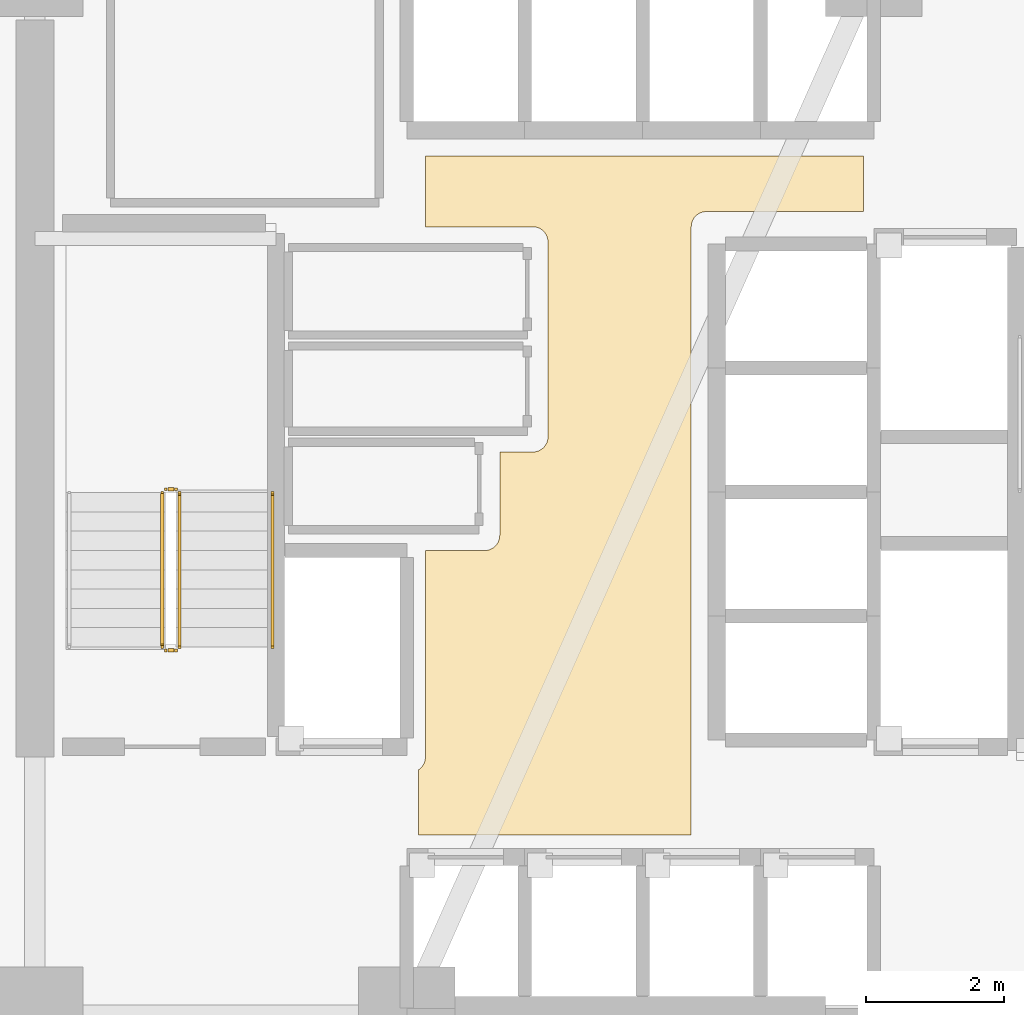
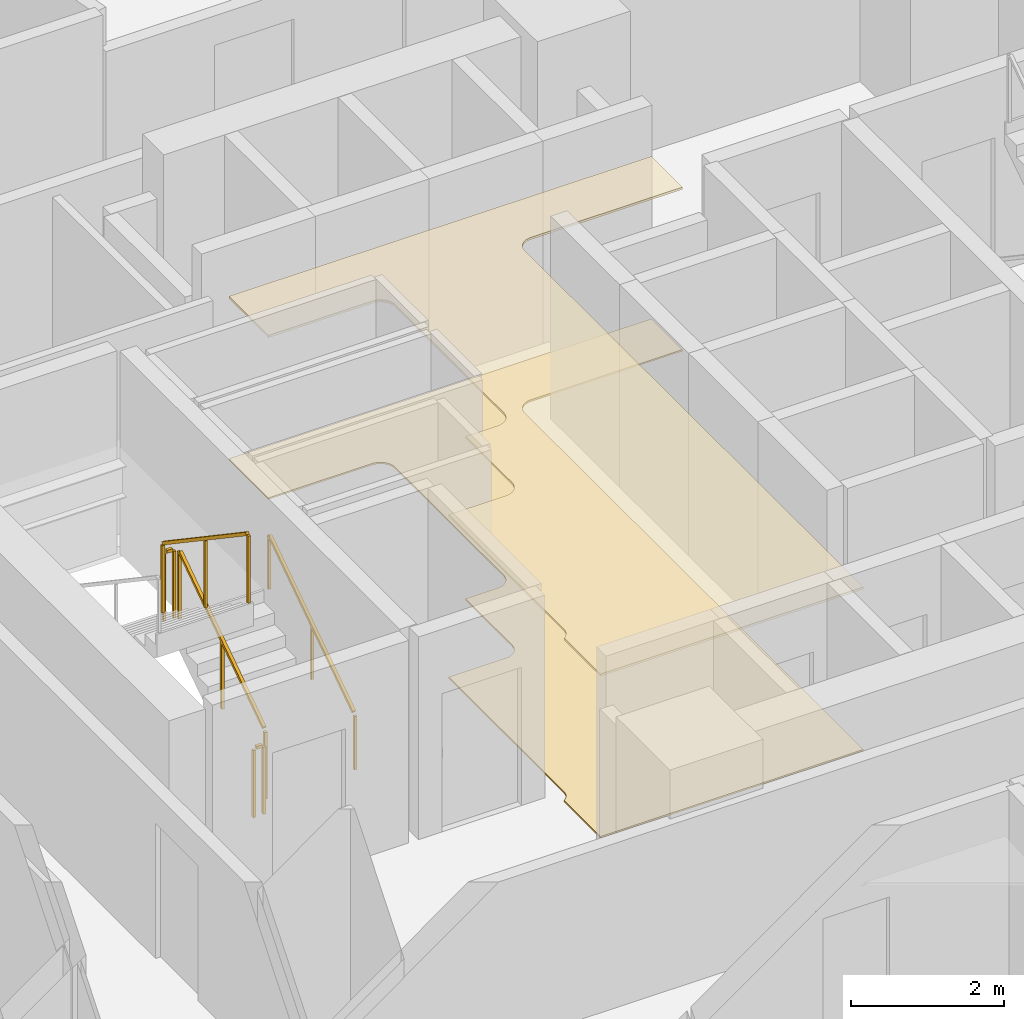
# One storey, part 12 of 15: 5 railings, 2 coverings.
"""IFC4 building model written with IfcOpenShell, lengths in metres."""

import ifcopenshell
import ifcopenshell.guid

model = None  # the IFC model being written
_history = None  # IfcOwnerHistory: only IFC2X3 demands one
_inside = {}  # id of a spatial element -> (the spatial element, [elements in it])
_under = {}  # id of a project, library or spatial element -> (it, [spatial elements below it])
_declared = {}  # id of a project -> (the project, [libraries it declares])
_typed = {}  # id of a type object -> (the type object, [elements of that type])
_made_of = {}  # id of a material, layer set ... -> (it, [elements and type objects made of it])


def new_model(schema):
    """Start an empty IFC model of exactly this schema.

    Asked for "IFC4X3", IfcOpenShell would pick the latest addendum, in which some entities
    have other attributes; the version numbers below select the first issue.
    IFC2X3 requires an IfcOwnerHistory on every rooted entity: one is made here for all.
    """
    global model, _history
    if schema == "IFC4X3":
        model = ifcopenshell.file(schema_version=(4, 3, 0, 0))
    else:
        model = ifcopenshell.file(schema=schema)
    _inside.clear()
    _under.clear()
    _declared.clear()
    _typed.clear()
    _made_of.clear()
    _history = None
    if model.schema == "IFC2X3":
        org = make("IfcOrganization", Name="unknown")
        user = make(
            "IfcPersonAndOrganization",
            ThePerson=make("IfcPerson", FamilyName="unknown"),
            TheOrganization=org,
        )
        app = make(
            "IfcApplication",
            ApplicationDeveloper=org,
            Version="unknown",
            ApplicationFullName="unknown",
            ApplicationIdentifier="unknown",
        )
        _history = make(
            "IfcOwnerHistory",
            OwningUser=user,
            OwningApplication=app,
            ChangeAction="ADDED",
            CreationDate=0,
        )
    return model


def make(cls, **values):
    """One entity of the class cls with the attributes given. An attribute that is None is left unset."""
    return model.create_entity(
        cls, **{name: value for name, value in values.items() if value is not None}
    )


def rooted(cls, **values):
    """An entity with a GlobalId (a new one), such as an element, a storey or a relation."""
    return make(cls, GlobalId=ifcopenshell.guid.new(), OwnerHistory=_history, **values)


def si_unit(unit_type, name, prefix=None):
    """IfcSIUnit, for example si_unit("LENGTHUNIT", "METRE", prefix="MILLI")."""
    return make("IfcSIUnit", UnitType=unit_type, Prefix=prefix, Name=name)


def assignment(units):
    """IfcUnitAssignment: the units of a project."""
    return None if units is None else make("IfcUnitAssignment", Units=units)


def point(xyz):
    """IfcCartesianPoint."""
    return None if xyz is None else make("IfcCartesianPoint", Coordinates=xyz)


def direction(xyz):
    """IfcDirection."""
    return None if xyz is None else make("IfcDirection", DirectionRatios=xyz)


def frame(location, z_axis=None, x_axis=None):
    """IfcAxis2Placement3D, a coordinate frame: its origin and axes. An axis left out is left unset."""
    return make(
        "IfcAxis2Placement3D",
        Location=point(location),
        Axis=direction(z_axis),
        RefDirection=direction(x_axis),
    )


def frame_2d(location, x_axis=None):
    """IfcAxis2Placement2D, a coordinate frame in the plane: its origin and x axis."""
    return make(
        "IfcAxis2Placement2D", Location=point(location), RefDirection=direction(x_axis)
    )


def origin():
    """The frame at (0, 0, 0) with its axes left unset."""
    return frame((0.0, 0.0, 0.0))


def origin_2d():
    """The frame at (0, 0) in the plane with its x axis left unset."""
    return frame_2d((0.0, 0.0))


def place(relative_to, where):
    """IfcLocalPlacement: puts the frame where relative to a parent placement (None: the world)."""
    return make(
        "IfcLocalPlacement", PlacementRelTo=relative_to, RelativePlacement=where
    )


def context(
    kind, dimensions, precision=None, world=None, true_north=None, identifier=None
):
    """IfcGeometricRepresentationContext, for example the 3D "Model" context."""
    return make(
        "IfcGeometricRepresentationContext",
        ContextIdentifier=identifier,
        ContextType=kind,
        CoordinateSpaceDimension=dimensions,
        Precision=precision,
        WorldCoordinateSystem=world,
        TrueNorth=true_north,
    )


def subcontext(parent, identifier, kind, view, scale=None):
    """IfcGeometricRepresentationSubContext, for example "Body" below "Model"."""
    return make(
        "IfcGeometricRepresentationSubContext",
        ContextIdentifier=identifier,
        ContextType=kind,
        ParentContext=parent,
        TargetScale=scale,
        TargetView=view,
    )


def project(units=None, contexts=None):
    """IfcProject with its units and contexts."""
    return rooted(
        "IfcProject",
        Name="project",
        RepresentationContexts=contexts,
        UnitsInContext=assignment(units),
    )


def spatial(cls, under=None, at=None, **own):
    """A site, building, storey or space (cls), placed at a placement, below another one or the project."""
    s = rooted(cls, ObjectPlacement=at, **own)
    if under is not None:
        _under.setdefault(under.id(), (under, []))[1].append(s)
    return s


def polyline(points):
    """IfcPolyline through the points."""
    return make("IfcPolyline", Points=[point(p) for p in points])


def profile(cls, at=None, kind="AREA", **sizes):
    """A parametric profile (cls). Its sizes go by their IFC names, for example OverallWidth=200.0."""
    return make(cls, ProfileType=kind, Position=at, **sizes)


def rectangle(**sizes):
    """IfcRectangleProfileDef."""
    return profile("IfcRectangleProfileDef", **sizes)


def outline(outer, holes=None, kind="AREA"):
    """IfcArbitraryClosedProfileDef: a profile drawn as a closed curve; with holes, ...WithVoids."""
    if holes is None:
        return make("IfcArbitraryClosedProfileDef", ProfileType=kind, OuterCurve=outer)
    return make(
        "IfcArbitraryProfileDefWithVoids",
        ProfileType=kind,
        OuterCurve=outer,
        InnerCurves=holes,
    )


def extrude(swept, where, along, depth):
    """IfcExtrudedAreaSolid: the profile swept, set in the frame where, extruded along a direction by depth."""
    return make(
        "IfcExtrudedAreaSolid",
        SweptArea=swept,
        Position=where,
        ExtrudedDirection=direction(along),
        Depth=depth,
    )


def shape(context_of_items, identifier, shape_type, items):
    """IfcShapeRepresentation: the items that make up one representation, for example the "Body"."""
    return make(
        "IfcShapeRepresentation",
        ContextOfItems=context_of_items,
        RepresentationIdentifier=identifier,
        RepresentationType=shape_type,
        Items=items,
    )


def material(Name=None, Category=None):
    """IfcMaterial."""
    return make("IfcMaterial", Name=Name, Category=Category)


def layer(
    of_material, thickness, ventilated=None, Name=None, Category=None, Priority=None
):
    """IfcMaterialLayer: one layer of a wall or slab, of a material (None: an air gap)."""
    return make(
        "IfcMaterialLayer",
        Material=of_material,
        LayerThickness=thickness,
        IsVentilated=ventilated,
        Name=Name,
        Category=Category,
        Priority=Priority,
    )


def layer_set(layers, Name=None):
    """IfcMaterialLayerSet."""
    return make("IfcMaterialLayerSet", MaterialLayers=layers, LayerSetName=Name)


def made_of(thing, what):
    """Note that an element or type object is made of a material, layer set ...; save() writes the relation."""
    if what is not None:
        _made_of.setdefault(what.id(), (what, []))[1].append(thing)
    return thing


def type_object(cls, material=None, **own):
    """A type object (cls), such as IfcWallType, which elements share."""
    return made_of(rooted(cls, **own), material)


def element(
    cls,
    number,
    at=None,
    inside=None,
    cuts=None,
    type_object=None,
    material=None,
    context=None,
    identifier="Body",
    shape_type=None,
    held_by="IfcProductDefinitionShape",
    body=None,
    shapes=None,
    **own,
):
    """One element of the class cls, such as IfcWall. Its Tag is "e" and its number.

    at: its placement. inside: the storey or other place that contains it. cuts: it is an
    opening in that element (IfcRelVoidsElement). A single representation is given by context,
    identifier, shape_type and body (its items); several are given by shapes. held_by: the class
    of the entity that holds the representations. save() writes the other relations.
    """
    e = rooted(cls, Tag="e%d" % number, ObjectPlacement=at, **own)
    if body is not None:
        shapes = [shape(context, identifier, shape_type, body)]
    if shapes is not None:
        e.Representation = make(held_by, Representations=shapes)
    if inside is not None:
        _inside.setdefault(inside.id(), (inside, []))[1].append(e)
    if cuts is not None:
        rooted(
            "IfcRelVoidsElement", RelatingBuildingElement=cuts, RelatedOpeningElement=e
        )
    if type_object is not None:
        _typed.setdefault(type_object.id(), (type_object, []))[1].append(e)
    return made_of(e, material)


def aggregate(whole, parts):
    """IfcRelAggregates: a whole, such as a stair, and the parts it consists of."""
    return rooted("IfcRelAggregates", RelatingObject=whole, RelatedObjects=parts)


def save(model, path):
    """Write the relations noted so far, then the file.

    IfcRelAggregates (storeys below a building ...), IfcRelContainedInSpatialStructure (elements
    in a storey), IfcRelDefinesByType, IfcRelAssociatesMaterial and IfcRelDeclares: one each for
    every whole, place, type object, material and project.
    """
    for whole, parts in _under.values():
        aggregate(whole, parts)
    for where, things in _inside.values():
        rooted(
            "IfcRelContainedInSpatialStructure",
            RelatedElements=things,
            RelatingStructure=where,
        )
    for kind, things in _typed.values():
        rooted("IfcRelDefinesByType", RelatedObjects=things, RelatingType=kind)
    for what, things in _made_of.values():
        rooted("IfcRelAssociatesMaterial", RelatedObjects=things, RelatingMaterial=what)
    for by, libraries in _declared.values():
        rooted("IfcRelDeclares", RelatingContext=by, RelatedDefinitions=libraries)
    model.write(path)


model = new_model("IFC4")

# Units and contexts
model_context = context("Model", 3, precision=1e-05, world=origin(), true_north=direction((0.0, 1.0)))
body_context = subcontext(model_context, "Body", "Model", "MODEL_VIEW")
ifc_project = project(units=[si_unit("LENGTHUNIT", "METRE"), si_unit("AREAUNIT", "SQUARE_METRE"), si_unit("VOLUMEUNIT", "CUBIC_METRE"), si_unit("PLANEANGLEUNIT", "RADIAN"), si_unit("MASSUNIT", "GRAM", prefix="KILO")], contexts=[model_context])

# Site, building, storey
site_placement = place(None, origin())
site = spatial("IfcSite", under=ifc_project, at=site_placement, CompositionType="ELEMENT")
building_placement = place(site_placement, origin())
building = spatial("IfcBuilding", under=site, at=building_placement, Name="Tharavind Bronze Gate", CompositionType="ELEMENT")
storey_placement = place(building_placement, frame((0.0, 0.0, 60.449951171875)))
storey = spatial("IfcBuildingStorey", under=building, at=storey_placement, Name="L14", CompositionType="ELEMENT", Elevation=60.449951171875)

# Coverings
ifc_material_1 = material(Name="Perforated Bronze Acoustic Panel", Category="bronze")
ifc_layer_1 = layer(ifc_material_1, 0.044921875)
ifc_layer_set_1 = layer_set([ifc_layer_1], Name="Perforated Bronze Acoustic Panel")
covering_type_1 = type_object("IfcCoveringType", Name="ACOUSTIC BRONZE BAFFLE CEILING", PredefinedType="CEILING", material=ifc_layer_set_1)
covering_1_placement = place(storey_placement, frame((0.0, 0.0, 2.574951171875)))
element("IfcCovering", 1, at=covering_1_placement, inside=storey, type_object=covering_type_1, Name="L14-C-LL suspended ceiling", PredefinedType="CEILING", context=body_context, shape_type="SweptSolid", body=[
    extrude(outline(polyline([(-3.330078125, -4.97998046875), (0.6298828125, -4.97998046875), (0.6298828125, 3.85009765625), (0.631103515625, 3.87158203125), (0.63427734375, 3.892822265625), (0.639404296875, 3.913818359375), (0.646728515625, 3.93408203125), (0.656005859375, 3.95361328125), (0.6669921875, 3.97216796875), (0.679931640625, 3.989501953125), (0.6943359375, 4.005615234375), (0.71044921875, 4.02001953125), (0.727783203125, 4.032958984375), (0.746337890625, 4.0439453125), (0.765869140625, 4.05322265625), (0.7861328125, 4.060546875), (0.80712890625, 4.06591796875), (0.828369140625, 4.06884765625), (0.85009765625, 4.070068359375), (3.1298828125, 4.070068359375), (3.1298828125, 4.8798828125), (-3.22998046875, 4.8798828125), (-3.22998046875, 3.85009765625), (-1.669921875, 3.85009765625), (-1.6484375, 3.848876953125), (-1.627197265625, 3.845703125), (-1.606201171875, 3.840576171875), (-1.585693359375, 3.833251953125), (-1.56640625, 3.823974609375), (-1.5478515625, 3.81298828125), (-1.530517578125, 3.800048828125), (-1.514404296875, 3.78564453125), (-1.5, 3.76953125), (-1.487060546875, 3.752197265625), (-1.47607421875, 3.733642578125), (-1.466796875, 3.714111328125), (-1.45947265625, 3.69384765625), (-1.4541015625, 3.6728515625), (-1.451171875, 3.651611328125), (-1.449951171875, 3.6298828125), (-1.449951171875, 0.800048828125), (-1.451171875, 0.7783203125), (-1.4541015625, 0.757080078125), (-1.45947265625, 0.736083984375), (-1.466796875, 0.7158203125), (-1.47607421875, 0.6962890625), (-1.487060546875, 0.677734375), (-1.5, 0.660400390625), (-1.514404296875, 0.644287109375), (-1.530517578125, 0.6298828125), (-1.5478515625, 0.6171875), (-1.56640625, 0.60595703125), (-1.585693359375, 0.5966796875), (-1.606201171875, 0.589599609375), (-1.627197265625, 0.584228515625), (-1.6484375, 0.5810546875), (-1.669921875, 0.580078125), (-2.14990234375, 0.580078125), (-2.14990234375, -0.6298828125), (-2.151123046875, -0.651611328125), (-2.154296875, -0.6728515625), (-2.159423828125, -0.69384765625), (-2.166748046875, -0.714111328125), (-2.176025390625, -0.733642578125), (-2.18701171875, -0.752197265625), (-2.199951171875, -0.76953125), (-2.21435546875, -0.78564453125), (-2.23046875, -0.800048828125), (-2.247802734375, -0.81298828125), (-2.266357421875, -0.823974609375), (-2.285888671875, -0.833251953125), (-2.30615234375, -0.840576171875), (-2.3271484375, -0.845703125), (-2.348388671875, -0.848876953125), (-2.3701171875, -0.85009765625), (-3.22998046875, -0.85009765625), (-3.22998046875, -3.85009765625), (-3.231201171875, -3.87158203125), (-3.234130859375, -3.892822265625), (-3.239501953125, -3.913818359375), (-3.24658203125, -3.93408203125), (-3.256103515625, -3.95361328125), (-3.26708984375, -3.97216796875), (-3.27978515625, -3.989501953125), (-3.29443359375, -4.005615234375), (-3.310302734375, -4.02001953125), (-3.327880859375, -4.032958984375), (-3.330078125, -4.0341796875), (-3.330078125, -4.97998046875)])), origin(), (0.0, 0.0, 1.0), 0.03515625),
])
ifc_material_2 = material(Name="Honed Travertine Limestone", Category="masonry")
ifc_layer_2 = layer(ifc_material_2, 0.030029296875)
ifc_layer_set_2 = layer_set([ifc_layer_2], Name="Honed Travertine Limestone")
covering_type_2 = type_object("IfcCoveringType", Name="HONED LIMESTONE FLOORING", PredefinedType="FLOORING", material=ifc_layer_set_2)
covering_2_placement = place(storey_placement, origin())
element("IfcCovering", 2, at=covering_2_placement, inside=storey, type_object=covering_type_2, Name="L14-C-LL floor finish", PredefinedType="FLOORING", context=body_context, shape_type="SweptSolid", body=[
    extrude(outline(polyline([(-3.330078125, -4.97998046875), (0.6298828125, -4.97998046875), (0.6298828125, 3.85009765625), (0.631103515625, 3.87158203125), (0.63427734375, 3.892822265625), (0.639404296875, 3.913818359375), (0.646728515625, 3.93408203125), (0.656005859375, 3.95361328125), (0.6669921875, 3.97216796875), (0.679931640625, 3.989501953125), (0.6943359375, 4.005615234375), (0.71044921875, 4.02001953125), (0.727783203125, 4.032958984375), (0.746337890625, 4.0439453125), (0.765869140625, 4.05322265625), (0.7861328125, 4.060546875), (0.80712890625, 4.06591796875), (0.828369140625, 4.06884765625), (0.85009765625, 4.070068359375), (3.1298828125, 4.070068359375), (3.1298828125, 4.8798828125), (-3.22998046875, 4.8798828125), (-3.22998046875, 3.85009765625), (-1.669921875, 3.85009765625), (-1.6484375, 3.848876953125), (-1.627197265625, 3.845703125), (-1.606201171875, 3.840576171875), (-1.585693359375, 3.833251953125), (-1.56640625, 3.823974609375), (-1.5478515625, 3.81298828125), (-1.530517578125, 3.800048828125), (-1.514404296875, 3.78564453125), (-1.5, 3.76953125), (-1.487060546875, 3.752197265625), (-1.47607421875, 3.733642578125), (-1.466796875, 3.714111328125), (-1.45947265625, 3.69384765625), (-1.4541015625, 3.6728515625), (-1.451171875, 3.651611328125), (-1.449951171875, 3.6298828125), (-1.449951171875, 0.800048828125), (-1.451171875, 0.7783203125), (-1.4541015625, 0.757080078125), (-1.45947265625, 0.736083984375), (-1.466796875, 0.7158203125), (-1.47607421875, 0.6962890625), (-1.487060546875, 0.677734375), (-1.5, 0.660400390625), (-1.514404296875, 0.644287109375), (-1.530517578125, 0.6298828125), (-1.5478515625, 0.6171875), (-1.56640625, 0.60595703125), (-1.585693359375, 0.5966796875), (-1.606201171875, 0.589599609375), (-1.627197265625, 0.584228515625), (-1.6484375, 0.5810546875), (-1.669921875, 0.580078125), (-2.14990234375, 0.580078125), (-2.14990234375, -0.6298828125), (-2.151123046875, -0.651611328125), (-2.154296875, -0.6728515625), (-2.159423828125, -0.69384765625), (-2.166748046875, -0.714111328125), (-2.176025390625, -0.733642578125), (-2.18701171875, -0.752197265625), (-2.199951171875, -0.76953125), (-2.21435546875, -0.78564453125), (-2.23046875, -0.800048828125), (-2.247802734375, -0.81298828125), (-2.266357421875, -0.823974609375), (-2.285888671875, -0.833251953125), (-2.30615234375, -0.840576171875), (-2.3271484375, -0.845703125), (-2.348388671875, -0.848876953125), (-2.3701171875, -0.85009765625), (-3.22998046875, -0.85009765625), (-3.22998046875, -3.85009765625), (-3.231201171875, -3.87158203125), (-3.234130859375, -3.892822265625), (-3.239501953125, -3.913818359375), (-3.24658203125, -3.93408203125), (-3.256103515625, -3.95361328125), (-3.26708984375, -3.97216796875), (-3.27978515625, -3.989501953125), (-3.29443359375, -4.005615234375), (-3.310302734375, -4.02001953125), (-3.327880859375, -4.032958984375), (-3.330078125, -4.0341796875), (-3.330078125, -4.97998046875)])), origin(), (0.0, 0.0, 1.0), 0.025146484375),
])

# Railings
ifc_material_3 = material(Name="Brushed Bronze Alloy", Category="metal")
railing_type_1 = type_object("IfcRailingType", Name="STAIR BRONZE HANDRAIL 900", PredefinedType="HANDRAIL", material=ifc_material_3)
railing_1_placement = place(storey_placement, frame((-5.449951171875, -2.25, 0.18896484375)))
element("IfcRailing", 3, at=railing_1_placement, inside=storey, type_object=railing_type_1, Name="L14 ST1 stair handrail 1", PredefinedType="HANDRAIL", context=body_context, shape_type="SweptSolid", body=[
    extrude(rectangle(XDim=0.048095703125, YDim=0.048095703125, at=origin_2d()), frame((0.0, 0.026611328125, 0.893798828125), z_axis=(0.0, 0.829021472004, 0.559216772778), x_axis=(-1.0, 0.0, 0.0)), (0.0, 0.0, 1.0), 2.637939453125),
    extrude(rectangle(XDim=0.0400390625, YDim=0.0400390625, at=origin_2d()), origin(), (0.0, 0.0, 1.0), 0.847900390625),
    extrude(rectangle(XDim=0.0400390625, YDim=0.0400390625, at=origin_2d()), frame((0.0, 1.1201171875, 0.75537109375)), (0.0, 0.0, 1.0), 0.847900390625),
    extrude(rectangle(XDim=0.0400390625, YDim=0.0400390625, at=origin_2d()), frame((0.0, 2.239990234375, 1.510986328125)), (0.0, 0.0, 1.0), 0.847900390625),
])
railing_type_2 = type_object("IfcRailingType", Name="STAIR WELL GUARD RAILING 1120", PredefinedType="GUARDRAIL", material=ifc_material_3)
railing_2_placement = place(storey_placement, frame((-6.800048828125, -2.25, 0.18896484375)))
element("IfcRailing", 4, at=railing_2_placement, inside=storey, type_object=railing_type_2, Name="L14 ST1 stair guard 1", PredefinedType="GUARDRAIL", context=body_context, shape_type="SweptSolid", body=[
    extrude(rectangle(XDim=0.048095703125, YDim=0.048095703125, at=origin_2d()), frame((0.0, 0.026611328125, 1.114013671875), z_axis=(0.0, 0.829021472004, 0.559216772778), x_axis=(-1.0, 0.0, 0.0)), (0.0, 0.0, 1.0), 2.637939453125),
    extrude(rectangle(XDim=0.0400390625, YDim=0.0400390625, at=origin_2d()), origin(), (0.0, 0.0, 1.0), 1.068115234375),
    extrude(rectangle(XDim=0.0400390625, YDim=0.0400390625, at=origin_2d()), frame((0.0, 1.1201171875, 0.75537109375)), (0.0, 0.0, 1.0), 1.068115234375),
    extrude(rectangle(XDim=0.0400390625, YDim=0.0400390625, at=origin_2d()), frame((0.0, 2.239990234375, 1.510986328125)), (0.0, 0.0, 1.0), 1.068115234375),
])
railing_3_placement = place(storey_placement, frame((-6.85009765625, 0.0400390625, 1.699951171875)))
element("IfcRailing", 5, at=railing_3_placement, inside=storey, type_object=railing_type_2, Name="L14 ST1 stair guard 2", PredefinedType="GUARDRAIL", context=body_context, shape_type="SweptSolid", body=[
    extrude(rectangle(XDim=0.048095703125, YDim=0.048095703125, at=origin_2d()), frame((-0.031982421875, 0.0, 1.09619140625), z_axis=(-1.0, 0.0, 0.0), x_axis=(0.0, -1.0, 0.0)), (0.0, 0.0, 1.0), 0.0859375),
    extrude(rectangle(XDim=0.0400390625, YDim=0.0400390625, at=origin_2d()), origin(), (0.0, 0.0, 1.0), 1.068115234375),
    extrude(rectangle(XDim=0.0400390625, YDim=0.0400390625, at=origin_2d()), frame((-0.14990234375, 0.0, 0.0)), (0.0, 0.0, 1.0), 1.068115234375),
])
railing_4_placement = place(storey_placement, frame((-7.050048828125, -0.010009765625, 1.888916015625)))
element("IfcRailing", 6, at=railing_4_placement, inside=storey, type_object=railing_type_2, Name="L14 ST1 stair guard 3", PredefinedType="GUARDRAIL", context=body_context, shape_type="SweptSolid", body=[
    extrude(rectangle(XDim=0.048095703125, YDim=0.048095703125, at=origin_2d()), frame((0.0, -0.026611328125, 1.114013671875), z_axis=(0.0, -0.828979582247, 0.559278868023), x_axis=(1.0, 0.0, 0.0)), (0.0, 0.0, 1.0), 2.63818359375),
    extrude(rectangle(XDim=0.0400390625, YDim=0.0400390625, at=origin_2d()), origin(), (0.0, 0.0, 1.0), 1.068115234375),
    extrude(rectangle(XDim=0.0400390625, YDim=0.0400390625, at=origin_2d()), frame((0.0, -1.1201171875, 0.755615234375)), (0.0, 0.0, 1.0), 1.068115234375),
    extrude(rectangle(XDim=0.0400390625, YDim=0.0400390625, at=origin_2d()), frame((0.0, -2.239990234375, 1.51123046875)), (0.0, 0.0, 1.0), 1.068115234375),
])
railing_5_placement = place(storey_placement, frame((-6.85009765625, -2.300048828125, 0.0)))
element("IfcRailing", 7, at=railing_5_placement, inside=storey, type_object=railing_type_2, Name="L14 ST1 stair guard 4", PredefinedType="GUARDRAIL", context=body_context, shape_type="SweptSolid", body=[
    extrude(rectangle(XDim=0.048095703125, YDim=0.048095703125, at=origin_2d()), frame((-0.031982421875, 0.0, 1.09619140625), z_axis=(-1.0, 0.0, 0.0), x_axis=(0.0, -1.0, 0.0)), (0.0, 0.0, 1.0), 0.0859375),
    extrude(rectangle(XDim=0.0400390625, YDim=0.0400390625, at=origin_2d()), origin(), (0.0, 0.0, 1.0), 1.068115234375),
    extrude(rectangle(XDim=0.0400390625, YDim=0.0400390625, at=origin_2d()), frame((-0.14990234375, 0.0, 0.0)), (0.0, 0.0, 1.0), 1.068115234375),
])

save(model, "model.ifc")
